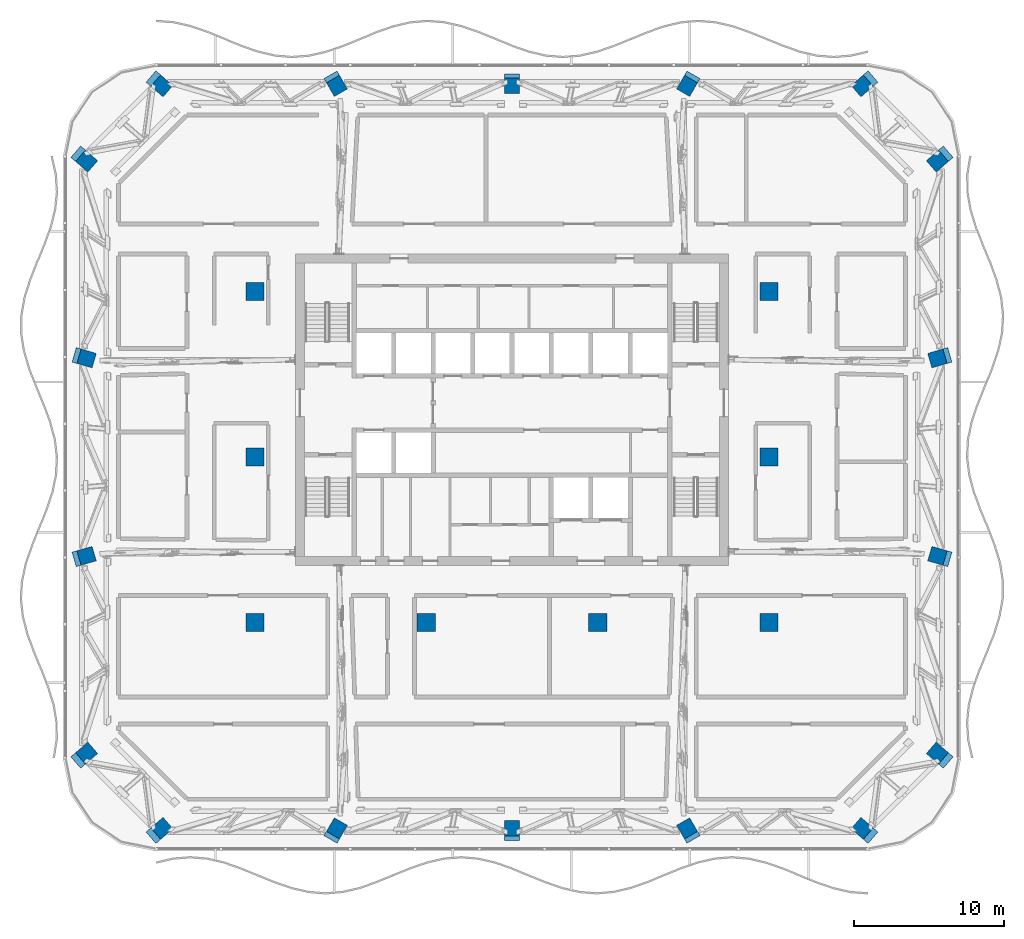
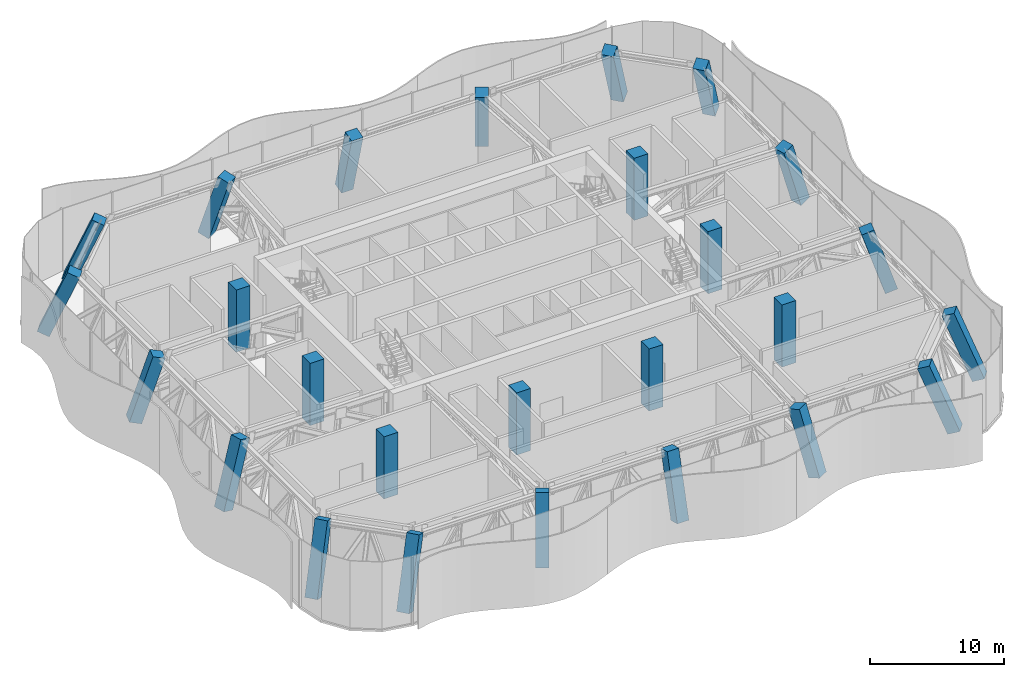
# One storey, part 1 of 29: 26 columns.
"""IFC4 building model written with IfcOpenShell, lengths in metres."""

from ifc_helpers import new_model, si_unit, direction, frame, origin, origin_2d, place, context, subcontext, project, spatial, rectangle, extrude, material, material_profile, profile_set, type_object, element, save


model = new_model("IFC4")

# Units and contexts
model_context = context("Model", 3, precision=1e-05, world=origin(), true_north=direction((0.0, 1.0)))
body_context = subcontext(model_context, "Body", "Model", "MODEL_VIEW")
ifc_project = project(units=[si_unit("LENGTHUNIT", "METRE"), si_unit("AREAUNIT", "SQUARE_METRE"), si_unit("VOLUMEUNIT", "CUBIC_METRE"), si_unit("PLANEANGLEUNIT", "RADIAN"), si_unit("MASSUNIT", "GRAM", prefix="KILO")], contexts=[model_context])

# Site, building, storey
site_placement = place(None, origin())
site = spatial("IfcSite", under=ifc_project, at=site_placement, CompositionType="ELEMENT")
building_placement = place(site_placement, origin())
building = spatial("IfcBuilding", under=site, at=building_placement, Name="Mopane Tessera Tower", CompositionType="ELEMENT")
storey_placement = place(building_placement, frame((0.0, 0.0, 315.39990234375)))
storey = spatial("IfcBuildingStorey", under=building, at=storey_placement, Name="L69", CompositionType="ELEMENT", Elevation=315.39990234375)

# Columns
ifc_material_1 = material(Name="Concrete C40/50", Category="concrete")
ifc_material_profile_1 = material_profile(ifc_material_1, rectangle(XDim=1.199951171875, YDim=1.199951171875, at=origin_2d()))
ifc_profile_set_1 = profile_set([ifc_material_profile_1], Name="Concrete C40/50")
column_type_1 = type_object("IfcColumnType", Name="Interior column 1200 x 1200 C40/50", PredefinedType="COLUMN", material=ifc_profile_set_1)
for number, where, z_axis, x_axis, name in (
    (1, (-17.10009765625, -11.0, 0.0), (0.0, 0.0, 1.0), (1.0, 0.0, 0.0), "Interior column I1A L69"),
    (2, (-17.10009765625, 0.0, 0.0), (0.0, 0.0, 1.0), (1.0, 0.0, 0.0), "Interior column I1B L69"),
    (3, (-17.10009765625, 11.0, 0.0), (0.0, 0.0, 1.0), (1.0, 0.0, 0.0), "Interior column I1C L69"),
    (4, (-5.699951171875, -11.0, 0.0), (0.0, 0.0, 1.0), (1.0, 0.0, 0.0), "Interior column I2A L69"),
    (5, (5.699951171875, -11.0, 0.0), (0.0, 0.0, 1.0), (1.0, 0.0, 0.0), "Interior column I3A L69"),
    (6, (17.10009765625, -11.0, 0.0), (0.0, 0.0, 1.0), (1.0, 0.0, 0.0), "Interior column I4A L69"),
    (7, (17.10009765625, 0.0, 0.0), (0.0, 0.0, 1.0), (1.0, 0.0, 0.0), "Interior column I4B L69"),
    (8, (17.10009765625, 11.0, 0.0), (0.0, 0.0, 1.0), (1.0, 0.0, 0.0), "Interior column I4C L69"),
):
    element("IfcColumn", number, at=place(storey_placement, frame(where, z_axis=z_axis, x_axis=x_axis)), inside=storey, type_object=column_type_1, Name=name, PredefinedType="COLUMN", context=body_context, shape_type="SweptSolid", body=[
        extrude(rectangle(XDim=1.199951171875, YDim=1.199951171875, at=origin_2d()), origin(), (0.0, 0.0, 1.0), 5.650146484375),
    ])
ifc_material_2 = material(Name="Concrete C40/50", Category="concrete")
ifc_material_profile_2 = material_profile(ifc_material_2, rectangle(XDim=1.0, YDim=1.0, at=origin_2d()))
ifc_profile_set_2 = profile_set([ifc_material_profile_2], Name="Concrete C40/50")
column_type_2 = type_object("IfcColumnType", Name="Ring column 1000 x 1000 C40/50", PredefinedType="COLUMN", material=ifc_profile_set_2)
column_1_placement = place(storey_placement, frame((-23.64990234375, -25.0, 0.0), z_axis=(0.285491312898, 0.246958988536, 0.926016181414), x_axis=(-0.654224042746, 0.756300801198, 0.0)))
element("IfcColumn", 9, at=column_1_placement, inside=storey, type_object=column_type_2, Name="Ring column S0 L69", PredefinedType="COLUMN", context=body_context, shape_type="SweptSolid", body=[
    extrude(rectangle(XDim=1.0, YDim=1.0, at=origin_2d()), origin(), (0.0, 0.0, 1.0), 6.1015625),
])
column_2_placement = place(storey_placement, frame((-11.824951171875, -25.0, 0.0), z_axis=(0.147339596113, 0.254871072649, 0.955683932974), x_axis=(-0.865746227022, 0.500483236879, 0.0)))
element("IfcColumn", 10, at=column_2_placement, inside=storey, type_object=column_type_2, Name="Ring column S1 L69", PredefinedType="COLUMN", context=body_context, shape_type="SweptSolid", body=[
    extrude(rectangle(XDim=1.0, YDim=1.0, at=origin_2d()), origin(), (0.0, 0.0, 1.0), 5.912109375),
])
column_3_placement = place(storey_placement, frame((0.0, -25.0, 0.0), z_axis=(0.0, 0.257683439079, 0.966229395757), x_axis=(-1.0, 0.0, 0.0)))
element("IfcColumn", 11, at=column_3_placement, inside=storey, type_object=column_type_2, Name="Ring column S2 L69", PredefinedType="COLUMN", context=body_context, shape_type="SweptSolid", body=[
    extrude(rectangle(XDim=1.0, YDim=1.0, at=origin_2d()), origin(), (0.0, 0.0, 1.0), 5.84765625),
])
column_4_placement = place(storey_placement, frame((11.824951171875, -25.0, 0.0), z_axis=(-0.147339596113, 0.254871072649, 0.955683932974), x_axis=(-0.865746227022, -0.500483236879, 0.0)))
element("IfcColumn", 12, at=column_4_placement, inside=storey, type_object=column_type_2, Name="Ring column S3 L69", PredefinedType="COLUMN", context=body_context, shape_type="SweptSolid", body=[
    extrude(rectangle(XDim=1.0, YDim=1.0, at=origin_2d()), origin(), (0.0, 0.0, 1.0), 5.912109375),
])
for number, where, z_axis, x_axis, name in (
    (13, (23.64990234375, -25.0, 0.0), (-0.285491312898, 0.246958988536, 0.926016181414), (-0.654224042746, -0.756300801198, 0.0), "Ring column S4 L69"),
    (14, (28.64990234375, -20.0, 0.0), (-0.285491312898, 0.246958988536, 0.926016181414), (-0.654224042746, -0.756300801198, 0.0), "Ring column E0 L69"),
):
    element("IfcColumn", number, at=place(storey_placement, frame(where, z_axis=z_axis, x_axis=x_axis)), inside=storey, type_object=column_type_2, Name=name, PredefinedType="COLUMN", context=body_context, shape_type="SweptSolid", body=[
        extrude(rectangle(XDim=1.0, YDim=1.0, at=origin_2d()), origin(), (0.0, 0.0, 1.0), 6.1015625),
    ])
for number, where, z_axis, x_axis, name in (
    (15, (28.64990234375, -6.666748046875, 0.0), (-0.293558756229, 0.084673289463, 0.952183643365), (-0.277139134369, -0.960829797728, 0.0), "Ring column E1 L69"),
    (16, (28.64990234375, 6.666748046875, 0.0), (-0.293558756229, -0.084673289463, 0.952183643365), (0.277139134369, -0.960829797728, 0.0), "Ring column E2 L69"),
):
    element("IfcColumn", number, at=place(storey_placement, frame(where, z_axis=z_axis, x_axis=x_axis)), inside=storey, type_object=column_type_2, Name=name, PredefinedType="COLUMN", context=body_context, shape_type="SweptSolid", body=[
        extrude(rectangle(XDim=1.0, YDim=1.0, at=origin_2d()), origin(), (0.0, 0.0, 1.0), 5.933837890625),
    ])
for number, where, z_axis, x_axis, name in (
    (17, (28.64990234375, 20.0, 0.0), (-0.285491312898, -0.246958988536, 0.926016181414), (0.654224042746, -0.756300801198, 0.0), "Ring column E3 L69"),
    (18, (23.64990234375, 25.0, 0.0), (-0.285491312898, -0.246958988536, 0.926016181414), (0.654224042746, -0.756300801198, 0.0), "Ring column N0 L69"),
):
    element("IfcColumn", number, at=place(storey_placement, frame(where, z_axis=z_axis, x_axis=x_axis)), inside=storey, type_object=column_type_2, Name=name, PredefinedType="COLUMN", context=body_context, shape_type="SweptSolid", body=[
        extrude(rectangle(XDim=1.0, YDim=1.0, at=origin_2d()), origin(), (0.0, 0.0, 1.0), 6.1015625),
    ])
column_5_placement = place(storey_placement, frame((11.824951171875, 25.0, 0.0), z_axis=(-0.147339596113, -0.254871072649, 0.955683932974), x_axis=(0.865746227022, -0.500483236879, 0.0)))
element("IfcColumn", 19, at=column_5_placement, inside=storey, type_object=column_type_2, Name="Ring column N1 L69", PredefinedType="COLUMN", context=body_context, shape_type="SweptSolid", body=[
    extrude(rectangle(XDim=1.0, YDim=1.0, at=origin_2d()), origin(), (0.0, 0.0, 1.0), 5.912109375),
])
column_6_placement = place(storey_placement, frame((0.0, 25.0, 0.0), z_axis=(0.0, -0.257683439079, 0.966229395757), x_axis=(1.0, 0.0, 0.0)))
element("IfcColumn", 20, at=column_6_placement, inside=storey, type_object=column_type_2, Name="Ring column N2 L69", PredefinedType="COLUMN", context=body_context, shape_type="SweptSolid", body=[
    extrude(rectangle(XDim=1.0, YDim=1.0, at=origin_2d()), origin(), (0.0, 0.0, 1.0), 5.84765625),
])
column_7_placement = place(storey_placement, frame((-11.824951171875, 25.0, 0.0), z_axis=(0.147339596113, -0.254871072649, 0.955683932974), x_axis=(0.865746227022, 0.500483236879, 0.0)))
element("IfcColumn", 21, at=column_7_placement, inside=storey, type_object=column_type_2, Name="Ring column N3 L69", PredefinedType="COLUMN", context=body_context, shape_type="SweptSolid", body=[
    extrude(rectangle(XDim=1.0, YDim=1.0, at=origin_2d()), origin(), (0.0, 0.0, 1.0), 5.912109375),
])
for number, where, z_axis, x_axis, name in (
    (22, (-23.64990234375, 25.0, 0.0), (0.285491312898, -0.246958988536, 0.926016181414), (0.654224042746, 0.756300801198, 0.0), "Ring column N4 L69"),
    (23, (-28.64990234375, 20.0, 0.0), (0.285491312898, -0.246958988536, 0.926016181414), (0.654224042746, 0.756300801198, 0.0), "Ring column W0 L69"),
):
    element("IfcColumn", number, at=place(storey_placement, frame(where, z_axis=z_axis, x_axis=x_axis)), inside=storey, type_object=column_type_2, Name=name, PredefinedType="COLUMN", context=body_context, shape_type="SweptSolid", body=[
        extrude(rectangle(XDim=1.0, YDim=1.0, at=origin_2d()), origin(), (0.0, 0.0, 1.0), 6.1015625),
    ])
for number, where, z_axis, x_axis, name in (
    (24, (-28.64990234375, 6.666748046875, 0.0), (0.293558756229, -0.084673289463, 0.952183643365), (0.277139134369, 0.960829797728, 0.0), "Ring column W1 L69"),
    (25, (-28.64990234375, -6.666748046875, 0.0), (0.293558756229, 0.084673289463, 0.952183643365), (-0.277139134369, 0.960829797728, 0.0), "Ring column W2 L69"),
):
    element("IfcColumn", number, at=place(storey_placement, frame(where, z_axis=z_axis, x_axis=x_axis)), inside=storey, type_object=column_type_2, Name=name, PredefinedType="COLUMN", context=body_context, shape_type="SweptSolid", body=[
        extrude(rectangle(XDim=1.0, YDim=1.0, at=origin_2d()), origin(), (0.0, 0.0, 1.0), 5.933837890625),
    ])
column_8_placement = place(storey_placement, frame((-28.64990234375, -20.0, 0.0), z_axis=(0.285491312898, 0.246958988536, 0.926016181414), x_axis=(-0.654224042746, 0.756300801198, 0.0)))
element("IfcColumn", 26, at=column_8_placement, inside=storey, type_object=column_type_2, Name="Ring column W3 L69", PredefinedType="COLUMN", context=body_context, shape_type="SweptSolid", body=[
    extrude(rectangle(XDim=1.0, YDim=1.0, at=origin_2d()), origin(), (0.0, 0.0, 1.0), 6.1015625),
])

save(model, "model.ifc")
